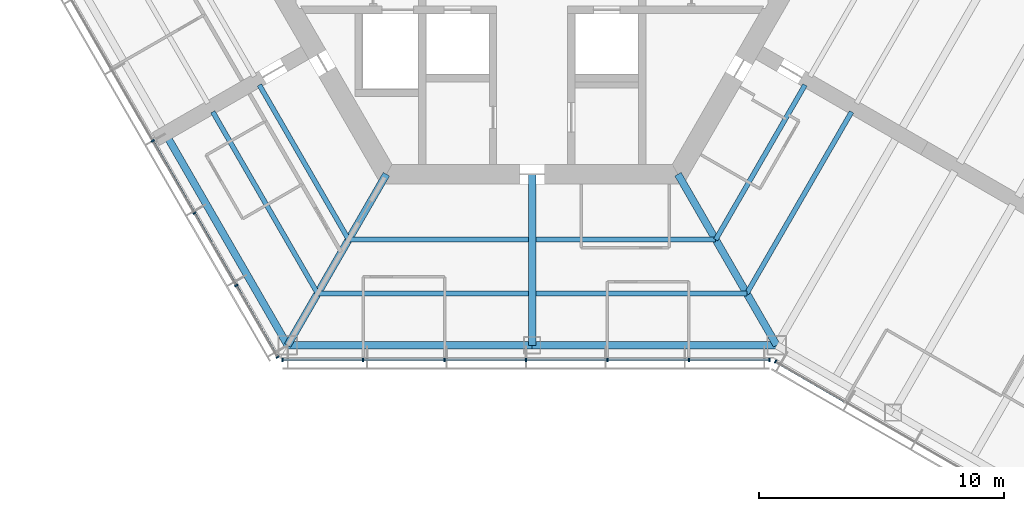
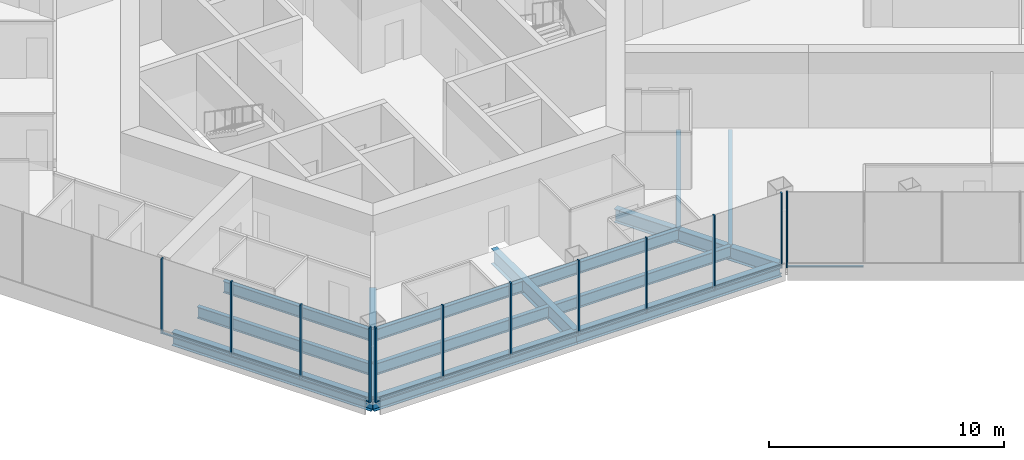
# One storey, part 2 of 17: 22 members, 14 beams, 3 elements without a shape of their own.
"""IFC4 building model written with IfcOpenShell, lengths in metres."""

from ifc_helpers import new_model, si_unit, direction, frame, origin, origin_2d, place, context, subcontext, project, spatial, rectangle, i_section, extrude, material, material_profile, profile_set, type_object, element, aggregate, save


model = new_model("IFC4")

# Units and contexts
model_context = context("Model", 3, precision=1e-05, world=origin(), true_north=direction((0.0, 1.0)))
body_context = subcontext(model_context, "Body", "Model", "MODEL_VIEW")
ifc_project = project(units=[si_unit("LENGTHUNIT", "METRE"), si_unit("AREAUNIT", "SQUARE_METRE"), si_unit("VOLUMEUNIT", "CUBIC_METRE"), si_unit("PLANEANGLEUNIT", "RADIAN"), si_unit("MASSUNIT", "GRAM", prefix="KILO")], contexts=[model_context])

# Site, building, storey
site_placement = place(None, origin())
site = spatial("IfcSite", under=ifc_project, at=site_placement, CompositionType="ELEMENT")
building_placement = place(site_placement, origin())
building = spatial("IfcBuilding", under=site, at=building_placement, Name="Kasaneha Research Tower", CompositionType="ELEMENT")
storey_placement = place(building_placement, frame((0.0, 0.0, 224.5)))
storey = spatial("IfcBuildingStorey", under=building, at=storey_placement, Name="L56", CompositionType="ELEMENT", Elevation=224.5)

# Beams
ifc_material_1 = material(Name="Steel SN490B", Category="steel")
ifc_material_profile_1 = material_profile(ifc_material_1, i_section(OverallWidth=0.199951171875, OverallDepth=0.60009765625, WebThickness=0.010986328125, FlangeThickness=0.01708984375, FilletRadius=0.012939453125, at=origin_2d()), Name="H-600x200x11x17")
ifc_profile_set_1 = profile_set([ifc_material_profile_1], Name="Steel SN490B")
beam_type_1 = type_object("IfcBeamType", Name="B1-3 secondary beam H-600x200x11x17", PredefinedType="JOIST", material=ifc_profile_set_1)
beam_1_placement = place(storey_placement, frame((-7.505615234375, -13.0, -0.449951171875), z_axis=(-0.499999192304, 0.866025870108, 0.0), x_axis=(-0.866025870108, -0.499999192304, 0.0)))
element("IfcBeam", 1, at=beam_1_placement, inside=storey, type_object=beam_type_1, Name="Secondary beam RS210R1 L56", PredefinedType="JOIST", context=body_context, shape_type="SweptSolid", body=[
    extrude(i_section(OverallWidth=0.199951171875, OverallDepth=0.60009765625, WebThickness=0.010986328125, FlangeThickness=0.01708984375, FilletRadius=0.012939453125, at=origin_2d()), origin(), (0.0, 0.0, 1.0), 7.3056640625),
])
beam_2_placement = place(storey_placement, frame((-8.775634765625, -15.199951171875, -0.449951171875), z_axis=(-0.500000102728, 0.866025344474, 0.0), x_axis=(-0.866025344474, -0.500000102728, 0.0)))
element("IfcBeam", 2, at=beam_2_placement, inside=storey, type_object=beam_type_1, Name="Secondary beam RS210R2 L56", PredefinedType="JOIST", context=body_context, shape_type="SweptSolid", body=[
    extrude(i_section(OverallWidth=0.199951171875, OverallDepth=0.60009765625, WebThickness=0.010986328125, FlangeThickness=0.01708984375, FilletRadius=0.012939453125, at=origin_2d()), origin(), (0.0, 0.0, 1.0), 8.57568359375),
])
beam_3_placement = place(storey_placement, frame((-7.505615234375, -13.0, -0.449951171875), z_axis=(1.0, 0.0, 0.0), x_axis=(0.0, 1.0, 0.0)))
element("IfcBeam", 3, at=beam_3_placement, inside=storey, type_object=beam_type_1, Name="Secondary beam RS270L1 L56", PredefinedType="JOIST", context=body_context, shape_type="SweptSolid", body=[
    extrude(i_section(OverallWidth=0.199951171875, OverallDepth=0.60009765625, WebThickness=0.010986328125, FlangeThickness=0.01708984375, FilletRadius=0.012939453125, at=origin_2d()), origin(), (0.0, 0.0, 1.0), 7.355712890625),
])
beam_4_placement = place(storey_placement, frame((-8.775634765625, -15.199951171875, -0.449951171875), z_axis=(1.0, 0.0, 0.0), x_axis=(0.0, 1.0, 0.0)))
element("IfcBeam", 4, at=beam_4_placement, inside=storey, type_object=beam_type_1, Name="Secondary beam RS270L2 L56", PredefinedType="JOIST", context=body_context, shape_type="SweptSolid", body=[
    extrude(i_section(OverallWidth=0.199951171875, OverallDepth=0.60009765625, WebThickness=0.010986328125, FlangeThickness=0.01708984375, FilletRadius=0.012939453125, at=origin_2d()), origin(), (0.0, 0.0, 1.0), 8.625732421875),
])
beam_5_placement = place(storey_placement, frame((7.505615234375, -13.0, -0.449951171875), z_axis=(-1.0, 0.0, 0.0), x_axis=(0.0, -1.0, 0.0)))
element("IfcBeam", 5, at=beam_5_placement, inside=storey, type_object=beam_type_1, Name="Secondary beam RS270R1 L56", PredefinedType="JOIST", context=body_context, shape_type="SweptSolid", body=[
    extrude(i_section(OverallWidth=0.199951171875, OverallDepth=0.60009765625, WebThickness=0.010986328125, FlangeThickness=0.01708984375, FilletRadius=0.012939453125, at=origin_2d()), origin(), (0.0, 0.0, 1.0), 7.355712890625),
])
beam_6_placement = place(storey_placement, frame((8.775634765625, -15.199951171875, -0.449951171875), z_axis=(-1.0, 0.0, 0.0), x_axis=(0.0, -1.0, 0.0)))
element("IfcBeam", 6, at=beam_6_placement, inside=storey, type_object=beam_type_1, Name="Secondary beam RS270R2 L56", PredefinedType="JOIST", context=body_context, shape_type="SweptSolid", body=[
    extrude(i_section(OverallWidth=0.199951171875, OverallDepth=0.60009765625, WebThickness=0.010986328125, FlangeThickness=0.01708984375, FilletRadius=0.012939453125, at=origin_2d()), origin(), (0.0, 0.0, 1.0), 8.625732421875),
])
beam_7_placement = place(storey_placement, frame((7.505615234375, -13.0, -0.449951171875), z_axis=(0.499999192304, 0.866025870108, 0.0), x_axis=(-0.866025870108, 0.499999192304, 0.0)))
element("IfcBeam", 7, at=beam_7_placement, inside=storey, type_object=beam_type_1, Name="Secondary beam RS330L1 L56", PredefinedType="JOIST", context=body_context, shape_type="SweptSolid", body=[
    extrude(i_section(OverallWidth=0.199951171875, OverallDepth=0.60009765625, WebThickness=0.010986328125, FlangeThickness=0.01708984375, FilletRadius=0.012939453125, at=origin_2d()), origin(), (0.0, 0.0, 1.0), 7.3056640625),
])
beam_8_placement = place(storey_placement, frame((8.775634765625, -15.199951171875, -0.449951171875), z_axis=(0.500000102728, 0.866025344474, 0.0), x_axis=(-0.866025344474, 0.500000102728, 0.0)))
element("IfcBeam", 8, at=beam_8_placement, inside=storey, type_object=beam_type_1, Name="Secondary beam RS330L2 L56", PredefinedType="JOIST", context=body_context, shape_type="SweptSolid", body=[
    extrude(i_section(OverallWidth=0.199951171875, OverallDepth=0.60009765625, WebThickness=0.010986328125, FlangeThickness=0.01708984375, FilletRadius=0.012939453125, at=origin_2d()), origin(), (0.0, 0.0, 1.0), 8.57568359375),
])

# Curtain wall, members
ifc_material_2 = material(Name="Glass and aluminium", Category="aluminium")
curtain_wall_type = type_object("IfcCurtainWallType", Name="High-rise office curtain wall", PredefinedType="USERDEFINED", material=ifc_material_2)
curtain_wall_1_placement = place(storey_placement, origin())
curtain_wall_1 = element("IfcCurtainWall", 9, at=curtain_wall_1_placement, inside=storey, type_object=curtain_wall_type, Name="CW-O3 L56 run 04a", ObjectType="UNITISED CURTAIN WALL", PredefinedType="USERDEFINED")
ifc_material_3 = material(Name="Aluminium 6063-T6", Category="aluminium")
ifc_material_profile_2 = material_profile(ifc_material_3, rectangle(XDim=0.06005859375, YDim=0.139892578125, at=origin_2d()), Name="CW-O3 mullion 60x140")
ifc_profile_set_2 = profile_set([ifc_material_profile_2], Name="Aluminium 6063-T6")
member_type_1 = type_object("IfcMemberType", Name="CW-O3 mullion", PredefinedType="MULLION", material=ifc_profile_set_2)
member_1_placement = place(storey_placement, frame((-15.51953125, -8.960205078125, 0.0), z_axis=(0.0, 0.0, 1.0), x_axis=(0.499999995722, -0.866025406254, 0.0)))
member_1 = element("IfcMember", 10, at=member_1_placement, type_object=member_type_1, Name="CW-O3 mullion 4", PredefinedType="MULLION", context=body_context, shape_type="SweptSolid", body=[
    extrude(rectangle(XDim=0.06005859375, YDim=0.139892578125, at=origin_2d()), origin(), (0.0, 0.0, 1.0), 3.89990234375),
])
member_2_placement = place(storey_placement, frame((-13.811767578125, -11.918212890625, 0.0), z_axis=(0.0, 0.0, 1.0), x_axis=(0.499999995722, -0.866025406254, 0.0)))
member_2 = element("IfcMember", 11, at=member_2_placement, type_object=member_type_1, Name="CW-O3 mullion 5", PredefinedType="MULLION", context=body_context, shape_type="SweptSolid", body=[
    extrude(rectangle(XDim=0.06005859375, YDim=0.139892578125, at=origin_2d()), origin(), (0.0, 0.0, 1.0), 3.89990234375),
])
member_3_placement = place(storey_placement, frame((-12.104248046875, -14.8759765625, 0.0), z_axis=(0.0, 0.0, 1.0), x_axis=(0.499999995722, -0.866025406254, 0.0)))
member_3 = element("IfcMember", 12, at=member_3_placement, type_object=member_type_1, Name="CW-O3 mullion 6", PredefinedType="MULLION", context=body_context, shape_type="SweptSolid", body=[
    extrude(rectangle(XDim=0.06005859375, YDim=0.139892578125, at=origin_2d()), origin(), (0.0, 0.0, 1.0), 3.89990234375),
])
member_4_placement = place(storey_placement, frame((-10.411376953125, -17.807861328125, 0.0), z_axis=(0.0, 0.0, 1.0), x_axis=(0.499999995722, -0.866025406254, 0.0)))
member_4 = element("IfcMember", 13, at=member_4_placement, type_object=member_type_1, Name="CW-O3 mullion 7", PredefinedType="MULLION", context=body_context, shape_type="SweptSolid", body=[
    extrude(rectangle(XDim=0.06005859375, YDim=0.139892578125, at=origin_2d()), origin(), (0.0, 0.0, 1.0), 3.89990234375),
])

curtain_wall_2_placement = place(storey_placement, origin())
curtain_wall_2 = element("IfcCurtainWall", 14, at=curtain_wall_2_placement, inside=storey, type_object=curtain_wall_type, Name="CW-O3 L56 run 05a", ObjectType="UNITISED CURTAIN WALL", PredefinedType="USERDEFINED")
member_5_placement = place(storey_placement, frame((-10.21630859375, -17.92041015625, 0.0), z_axis=(0.0, 0.0, 1.0), x_axis=(1.0, 0.0, 0.0)))
member_5 = element("IfcMember", 15, at=member_5_placement, type_object=member_type_1, Name="CW-O3 mullion 1", PredefinedType="MULLION", context=body_context, shape_type="SweptSolid", body=[
    extrude(rectangle(XDim=0.06005859375, YDim=0.139892578125, at=origin_2d()), origin(), (0.0, 0.0, 1.0), 3.89990234375),
])
member_6_placement = place(storey_placement, frame((-6.91552734375, -17.92041015625, 0.0), z_axis=(0.0, 0.0, 1.0), x_axis=(1.0, 0.0, 0.0)))
member_6 = element("IfcMember", 16, at=member_6_placement, type_object=member_type_1, Name="CW-O3 mullion 2", PredefinedType="MULLION", context=body_context, shape_type="SweptSolid", body=[
    extrude(rectangle(XDim=0.06005859375, YDim=0.139892578125, at=origin_2d()), origin(), (0.0, 0.0, 1.0), 3.89990234375),
])
member_7_placement = place(storey_placement, frame((-3.58447265625, -17.92041015625, 0.0), z_axis=(0.0, 0.0, 1.0), x_axis=(1.0, 0.0, 0.0)))
member_7 = element("IfcMember", 17, at=member_7_placement, type_object=member_type_1, Name="CW-O3 mullion 3", PredefinedType="MULLION", context=body_context, shape_type="SweptSolid", body=[
    extrude(rectangle(XDim=0.06005859375, YDim=0.139892578125, at=origin_2d()), origin(), (0.0, 0.0, 1.0), 3.89990234375),
])
member_8_placement = place(storey_placement, frame((-0.253662109375, -17.92041015625, 0.0), z_axis=(0.0, 0.0, 1.0), x_axis=(1.0, 0.0, 0.0)))
member_8 = element("IfcMember", 18, at=member_8_placement, type_object=member_type_1, Name="CW-O3 mullion 4", PredefinedType="MULLION", context=body_context, shape_type="SweptSolid", body=[
    extrude(rectangle(XDim=0.06005859375, YDim=0.139892578125, at=origin_2d()), origin(), (0.0, 0.0, 1.0), 3.89990234375),
])
member_9_placement = place(storey_placement, frame((3.077392578125, -17.92041015625, 0.0), z_axis=(0.0, 0.0, 1.0), x_axis=(1.0, 0.0, 0.0)))
member_9 = element("IfcMember", 19, at=member_9_placement, type_object=member_type_1, Name="CW-O3 mullion 5", PredefinedType="MULLION", context=body_context, shape_type="SweptSolid", body=[
    extrude(rectangle(XDim=0.06005859375, YDim=0.139892578125, at=origin_2d()), origin(), (0.0, 0.0, 1.0), 3.89990234375),
])
member_10_placement = place(storey_placement, frame((6.408203125, -17.92041015625, 0.0), z_axis=(0.0, 0.0, 1.0), x_axis=(1.0, 0.0, 0.0)))
member_10 = element("IfcMember", 20, at=member_10_placement, type_object=member_type_1, Name="CW-O3 mullion 6", PredefinedType="MULLION", context=body_context, shape_type="SweptSolid", body=[
    extrude(rectangle(XDim=0.06005859375, YDim=0.139892578125, at=origin_2d()), origin(), (0.0, 0.0, 1.0), 3.89990234375),
])
member_11_placement = place(storey_placement, frame((9.709228515625, -17.92041015625, 0.0), z_axis=(0.0, 0.0, 1.0), x_axis=(1.0, 0.0, 0.0)))
member_11 = element("IfcMember", 21, at=member_11_placement, type_object=member_type_1, Name="CW-O3 mullion 7", PredefinedType="MULLION", context=body_context, shape_type="SweptSolid", body=[
    extrude(rectangle(XDim=0.06005859375, YDim=0.139892578125, at=origin_2d()), origin(), (0.0, 0.0, 1.0), 3.89990234375),
])

# Curtain wall, member
curtain_wall_3_placement = place(storey_placement, origin())
curtain_wall_3 = element("IfcCurtainWall", 22, at=curtain_wall_3_placement, inside=storey, type_object=curtain_wall_type, Name="CW-O3 L56 run 06a", ObjectType="UNITISED CURTAIN WALL", PredefinedType="USERDEFINED")
member_12_placement = place(storey_placement, frame((9.951904296875, -17.985595703125, 0.0), z_axis=(0.0, 0.0, 1.0), x_axis=(0.866025411464, -0.499999986699, 0.0)))
member_12 = element("IfcMember", 23, at=member_12_placement, type_object=member_type_1, Name="CW-O3 mullion 1", PredefinedType="MULLION", context=body_context, shape_type="SweptSolid", body=[
    extrude(rectangle(XDim=0.06005859375, YDim=0.139892578125, at=origin_2d()), origin(), (0.0, 0.0, 1.0), 3.89990234375),
])

# Member
ifc_material_4 = material(Name="Aluminium 6063-T6", Category="aluminium")
ifc_material_profile_3 = material_profile(ifc_material_4, rectangle(XDim=0.10009765625, YDim=0.06005859375, at=origin_2d()), Name="CW-O3 transom 100x60")
ifc_profile_set_3 = profile_set([ifc_material_profile_3], Name="Aluminium 6063-T6")
member_type_2 = type_object("IfcMemberType", Name="CW-O3 transom", PredefinedType="USERDEFINED", material=ifc_profile_set_3)
member_13_placement = place(storey_placement, frame((-15.504638671875, -8.986328125, 0.030029296875), z_axis=(0.500020578564, -0.866013522419, 0.0), x_axis=(0.866013522419, 0.500020578564, 0.0)))
member_13 = element("IfcMember", 24, at=member_13_placement, type_object=member_type_2, Name="CW-O3 transom 4", ObjectType="TRANSOM", PredefinedType="USERDEFINED", context=body_context, shape_type="SweptSolid", body=[
    extrude(rectangle(XDim=0.10009765625, YDim=0.06005859375, at=origin_2d()), origin(), (0.0, 0.0, 1.0), 3.355224609375),
])

member_14_placement = place(storey_placement, frame((-13.796875, -11.944091796875, 0.030029296875), z_axis=(0.499989072476, -0.866031712701, 0.0), x_axis=(0.866031712701, 0.499989072476, 0.0)))
member_14 = element("IfcMember", 25, at=member_14_placement, type_object=member_type_2, Name="CW-O3 transom 5", ObjectType="TRANSOM", PredefinedType="USERDEFINED", context=body_context, shape_type="SweptSolid", body=[
    extrude(rectangle(XDim=0.10009765625, YDim=0.06005859375, at=origin_2d()), origin(), (0.0, 0.0, 1.0), 3.35546875),
])

member_15_placement = place(storey_placement, frame((-12.089111328125, -14.902099609375, 0.030029296875), z_axis=(0.49997666526, -0.866038875684, 0.0), x_axis=(0.866038875684, 0.49997666526, 0.0)))
member_15 = element("IfcMember", 26, at=member_15_placement, type_object=member_type_2, Name="CW-O3 transom 6", ObjectType="TRANSOM", PredefinedType="USERDEFINED", context=body_context, shape_type="SweptSolid", body=[
    extrude(rectangle(XDim=0.10009765625, YDim=0.06005859375, at=origin_2d()), origin(), (0.0, 0.0, 1.0), 3.325439453125),
])

aggregate(curtain_wall_1, [member_1, member_2, member_3, member_4, member_13, member_14, member_15])

member_16_placement = place(storey_placement, frame((-10.1865234375, -17.92041015625, 0.030029296875), z_axis=(1.0, 0.0, 0.0), x_axis=(0.0, 1.0, 0.0)))
member_16 = element("IfcMember", 27, at=member_16_placement, type_object=member_type_2, Name="CW-O3 transom 1", ObjectType="TRANSOM", PredefinedType="USERDEFINED", context=body_context, shape_type="SweptSolid", body=[
    extrude(rectangle(XDim=0.10009765625, YDim=0.06005859375, at=origin_2d()), origin(), (0.0, 0.0, 1.0), 3.240966796875),
])

member_17_placement = place(storey_placement, frame((-6.885498046875, -17.92041015625, 0.030029296875), z_axis=(1.0, 0.0, 0.0), x_axis=(0.0, 1.0, 0.0)))
member_17 = element("IfcMember", 28, at=member_17_placement, type_object=member_type_2, Name="CW-O3 transom 2", ObjectType="TRANSOM", PredefinedType="USERDEFINED", context=body_context, shape_type="SweptSolid", body=[
    extrude(rectangle(XDim=0.10009765625, YDim=0.06005859375, at=origin_2d()), origin(), (0.0, 0.0, 1.0), 3.27099609375),
])

member_18_placement = place(storey_placement, frame((-3.554443359375, -17.92041015625, 0.030029296875), z_axis=(1.0, 0.0, 0.0), x_axis=(0.0, 1.0, 0.0)))
member_18 = element("IfcMember", 29, at=member_18_placement, type_object=member_type_2, Name="CW-O3 transom 3", ObjectType="TRANSOM", PredefinedType="USERDEFINED", context=body_context, shape_type="SweptSolid", body=[
    extrude(rectangle(XDim=0.10009765625, YDim=0.06005859375, at=origin_2d()), origin(), (0.0, 0.0, 1.0), 3.270751953125),
])

member_19_placement = place(storey_placement, frame((-0.2236328125, -17.92041015625, 0.030029296875), z_axis=(1.0, 0.0, 0.0), x_axis=(0.0, 1.0, 0.0)))
member_19 = element("IfcMember", 30, at=member_19_placement, type_object=member_type_2, Name="CW-O3 transom 4", ObjectType="TRANSOM", PredefinedType="USERDEFINED", context=body_context, shape_type="SweptSolid", body=[
    extrude(rectangle(XDim=0.10009765625, YDim=0.06005859375, at=origin_2d()), origin(), (0.0, 0.0, 1.0), 3.27099609375),
])

member_20_placement = place(storey_placement, frame((3.107421875, -17.92041015625, 0.030029296875), z_axis=(1.0, 0.0, 0.0), x_axis=(0.0, 1.0, 0.0)))
member_20 = element("IfcMember", 31, at=member_20_placement, type_object=member_type_2, Name="CW-O3 transom 5", ObjectType="TRANSOM", PredefinedType="USERDEFINED", context=body_context, shape_type="SweptSolid", body=[
    extrude(rectangle(XDim=0.10009765625, YDim=0.06005859375, at=origin_2d()), origin(), (0.0, 0.0, 1.0), 3.270751953125),
])

member_21_placement = place(storey_placement, frame((6.438232421875, -17.92041015625, 0.030029296875), z_axis=(1.0, 0.0, 0.0), x_axis=(0.0, 1.0, 0.0)))
member_21 = element("IfcMember", 32, at=member_21_placement, type_object=member_type_2, Name="CW-O3 transom 6", ObjectType="TRANSOM", PredefinedType="USERDEFINED", context=body_context, shape_type="SweptSolid", body=[
    extrude(rectangle(XDim=0.10009765625, YDim=0.06005859375, at=origin_2d()), origin(), (0.0, 0.0, 1.0), 3.240966796875),
])

aggregate(curtain_wall_2, [member_5, member_6, member_7, member_8, member_9, member_10, member_11, member_16, member_17, member_18, member_19, member_20, member_21])

member_22_placement = place(storey_placement, frame((9.977783203125, -18.00048828125, 0.030029296875), z_axis=(0.866022692473, -0.500004696101, 0.0), x_axis=(0.500004696101, 0.866022692473, 0.0)))
member_22 = element("IfcMember", 33, at=member_22_placement, type_object=member_type_2, Name="CW-O3 transom 1", ObjectType="TRANSOM", PredefinedType="USERDEFINED", context=body_context, shape_type="SweptSolid", body=[
    extrude(rectangle(XDim=0.10009765625, YDim=0.06005859375, at=origin_2d()), origin(), (0.0, 0.0, 1.0), 3.2197265625),
])

aggregate(curtain_wall_3, [member_12, member_22])

# Beams
ifc_material_5 = material(Name="Steel SN490B", Category="steel")
ifc_material_profile_4 = material_profile(ifc_material_5, i_section(OverallWidth=0.300048828125, OverallDepth=0.699951171875, WebThickness=0.012939453125, FlangeThickness=0.02392578125, FilletRadius=0.01806640625, at=origin_2d()), Name="H-700x300x13x24")
ifc_profile_set_4 = profile_set([ifc_material_profile_4], Name="Steel SN490B")
beam_type_2 = type_object("IfcBeamType", Name="G1-3 radial girder H-700x300x13x24", PredefinedType="BEAM", material=ifc_profile_set_4)
for number, where, z_axis, x_axis, name in (
    (34, (-5.961181640625, -10.324951171875, -0.5), (-0.49999105496, -0.866030568144, 0.0), (0.866030568144, -0.49999105496, 0.0), "Radial girder RV240 L56"),
    (35, (5.961181640625, -10.324951171875, -0.5), (0.49999105496, -0.866030568144, 0.0), (0.866030568144, 0.49999105496, 0.0), "Radial girder RV300 L56"),
):
    element("IfcBeam", number, at=place(storey_placement, frame(where, z_axis=z_axis, x_axis=x_axis)), inside=storey, type_object=beam_type_2, Name=name, PredefinedType="BEAM", context=body_context, shape_type="SweptSolid", body=[
        extrude(i_section(OverallWidth=0.300048828125, OverallDepth=0.699951171875, WebThickness=0.012939453125, FlangeThickness=0.02392578125, FilletRadius=0.01806640625, at=origin_2d()), origin(), (0.0, 0.0, 1.0), 8.077880859375),
    ])
ifc_material_6 = material(Name="Steel SN490B", Category="steel")
ifc_material_profile_5 = material_profile(ifc_material_6, i_section(OverallWidth=0.300048828125, OverallDepth=0.800048828125, WebThickness=0.013916015625, FlangeThickness=0.02587890625, FilletRadius=0.01806640625, at=origin_2d()), Name="H-800x300x14x26")
ifc_profile_set_5 = profile_set([ifc_material_profile_5], Name="Steel SN490B")
beam_type_3 = type_object("IfcBeamType", Name="G2-3 radial girder H-800x300x14x26", PredefinedType="BEAM", material=ifc_profile_set_5)
beam_9_placement = place(storey_placement, frame((0.0, -10.324951171875, -0.550048828125), z_axis=(0.0, -1.0, 0.0), x_axis=(1.0, 0.0, 0.0)))
element("IfcBeam", 36, at=beam_9_placement, inside=storey, type_object=beam_type_3, Name="Radial girder RM270 L56", PredefinedType="BEAM", context=body_context, shape_type="SweptSolid", body=[
    extrude(i_section(OverallWidth=0.300048828125, OverallDepth=0.800048828125, WebThickness=0.013916015625, FlangeThickness=0.02587890625, FilletRadius=0.01806640625, at=origin_2d()), origin(), (0.0, 0.0, 1.0), 6.99560546875),
])
ifc_material_7 = material(Name="Steel SN490B", Category="steel")
ifc_material_profile_6 = material_profile(ifc_material_7, i_section(OverallWidth=0.300048828125, OverallDepth=0.69189453125, WebThickness=0.012939453125, FlangeThickness=0.02001953125, FilletRadius=0.01806640625, at=origin_2d()), Name="H-692x300x13x20")
ifc_profile_set_6 = profile_set([ifc_material_profile_6], Name="Steel SN490B")
beam_type_4 = type_object("IfcBeamType", Name="G3-3 plate edge girder H-692x300x13x20", PredefinedType="BEAM", material=ifc_profile_set_6)
beam_10_placement = place(storey_placement, frame((-10.0, -17.320556640625, -0.49609375), z_axis=(-0.49999201416, 0.866030014362, 0.0), x_axis=(-0.866030014362, -0.49999201416, 0.0)))
element("IfcBeam", 37, at=beam_10_placement, inside=storey, type_object=beam_type_4, Name="Plate edge girder PEBN L56", PredefinedType="BEAM", context=body_context, shape_type="SweptSolid", body=[
    extrude(i_section(OverallWidth=0.300048828125, OverallDepth=0.69189453125, WebThickness=0.012939453125, FlangeThickness=0.02001953125, FilletRadius=0.01806640625, at=origin_2d()), origin(), (0.0, 0.0, 1.0), 9.800048828125),
])
ifc_material_8 = material(Name="Steel SN490B", Category="steel")
ifc_material_profile_7 = material_profile(ifc_material_8, i_section(OverallWidth=0.300048828125, OverallDepth=0.69189453125, WebThickness=0.012939453125, FlangeThickness=0.02001953125, FilletRadius=0.01806640625, at=origin_2d()), Name="H-692x300x13x20")
ifc_profile_set_7 = profile_set([ifc_material_profile_7], Name="Steel SN490B")
beam_type_5 = type_object("IfcBeamType", Name="SB1-3 spandrel beam H-692x300x13x20", PredefinedType="SPANDREL", material=ifc_profile_set_7)
for number, where, z_axis, x_axis, name in (
    (38, (-10.0, -17.320556640625, -0.49609375), (1.0, 0.0, 0.0), (0.0, 1.0, 0.0), "Spandrel beam SR270L L56"),
    (39, (10.0, -17.320556640625, -0.49609375), (-1.0, 0.0, 0.0), (0.0, -1.0, 0.0), "Spandrel beam SR270R L56"),
):
    element("IfcBeam", number, at=place(storey_placement, frame(where, z_axis=z_axis, x_axis=x_axis)), inside=storey, type_object=beam_type_5, Name=name, PredefinedType="SPANDREL", context=body_context, shape_type="SweptSolid", body=[
        extrude(i_section(OverallWidth=0.300048828125, OverallDepth=0.69189453125, WebThickness=0.012939453125, FlangeThickness=0.02001953125, FilletRadius=0.01806640625, at=origin_2d()), origin(), (0.0, 0.0, 1.0), 10.0),
    ])

save(model, "model.ifc")
